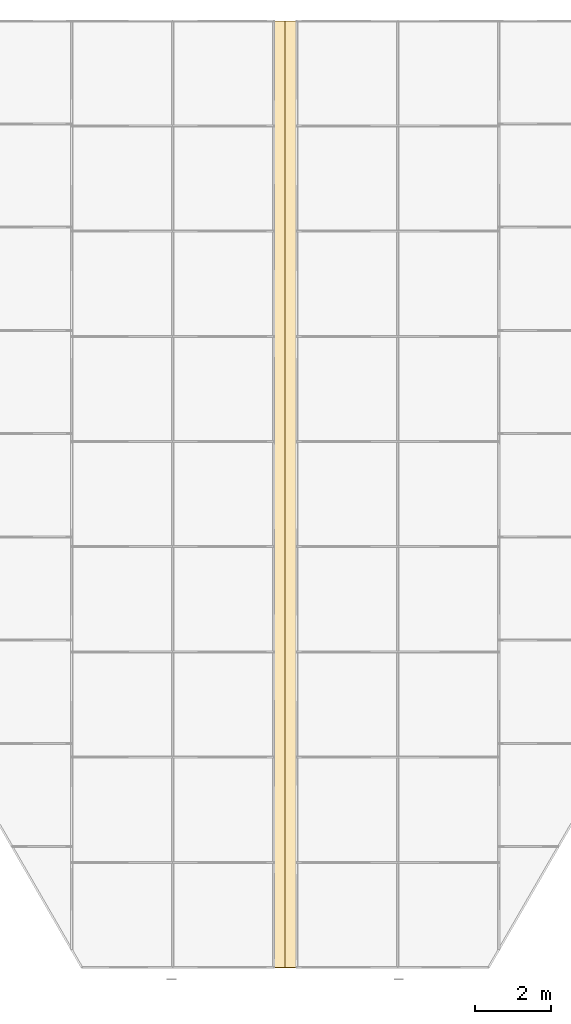
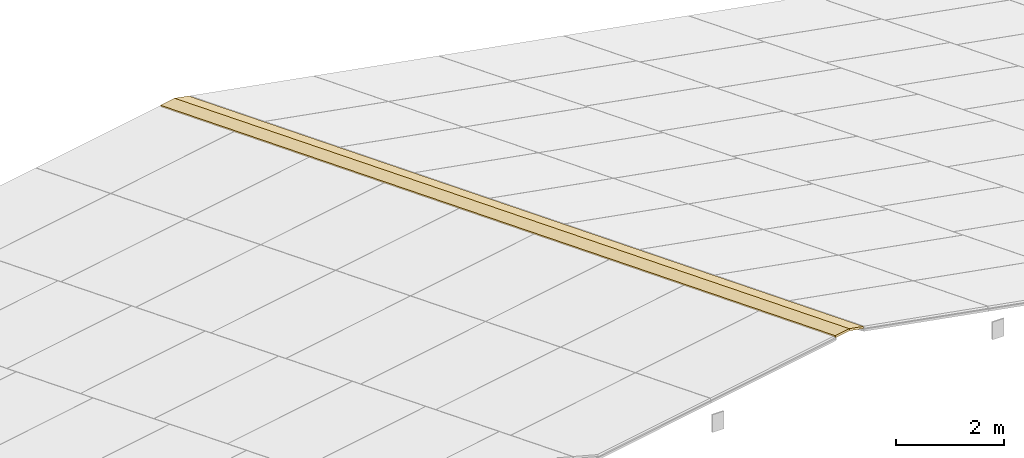
# One storey, part 12 of 12: 2 coverings.
"""IFC4 building model written with IfcOpenShell, lengths in metres."""

from ifc_helpers import new_model, si_unit, direction, frame, origin, place, context, subcontext, project, spatial, polyline, outline, extrude, material, layer, layer_set, type_object, element, save


model = new_model("IFC4")

# Units and contexts
model_context = context("Model", 3, precision=1e-05, world=origin(), true_north=direction((0.0, 1.0)))
body_context = subcontext(model_context, "Body", "Model", "MODEL_VIEW")
ifc_project = project(units=[si_unit("LENGTHUNIT", "METRE"), si_unit("AREAUNIT", "SQUARE_METRE"), si_unit("VOLUMEUNIT", "CUBIC_METRE"), si_unit("PLANEANGLEUNIT", "RADIAN"), si_unit("MASSUNIT", "GRAM", prefix="KILO")], contexts=[model_context])

# Site, building, storey
site_placement = place(None, origin())
site = spatial("IfcSite", under=ifc_project, at=site_placement, CompositionType="ELEMENT")
building_placement = place(site_placement, origin())
building = spatial("IfcBuilding", under=site, at=building_placement, Name="Aloe Facet Convention Tower", CompositionType="ELEMENT")
storey_placement = place(building_placement, frame((0.0, 0.0, 306.5)))
storey = spatial("IfcBuildingStorey", under=building, at=storey_placement, Name="C6", CompositionType="ELEMENT", Elevation=306.5)

# Coverings
ifc_material = material(Name="Zinc standing seam sheet")
ifc_layer = layer(ifc_material, 0.0400390625)
ifc_layer_set = layer_set([ifc_layer], Name="EV-RIDGE-CAP")
covering_type = type_object("IfcCoveringType", Name="EV-RIDGE-CAP", PredefinedType="ROOFING", material=ifc_layer_set)
covering_1_placement = place(storey_placement, frame((79.699951171875, 109.48046875, 1.141357421875), z_axis=(-0.164793678954, 0.364685849986, 0.916431816447), x_axis=(0.0, 0.929134892271, -0.369740925466)))
element("IfcCovering", 1, at=covering_1_placement, inside=storey, type_object=covering_type, Name="Ridge cover W1", PredefinedType="ROOFING", context=body_context, shape_type="SweptSolid", body=[
    extrude(outline(polyline([(0.0, 0.0), (26.927770615568047, 0.0), (26.907821215048543, -0.3042079406155813), (-0.019949400519505212, -0.3042079406155813), (0.0, 0.0)])), origin(), (0.0, 0.0, -1.0), 0.0400390625),
])
covering_2_placement = place(storey_placement, frame((80.0, 109.48046875, 1.1953125), z_axis=(0.164793678954, 0.364685849986, 0.916431816447), x_axis=(0.0, 0.929134892271, -0.369740925466)))
element("IfcCovering", 2, at=covering_2_placement, inside=storey, type_object=covering_type, Name="Ridge cover E1", PredefinedType="ROOFING", context=body_context, shape_type="SweptSolid", body=[
    extrude(outline(polyline([(0.0, 0.0), (26.927770615568047, 0.0), (26.94772001608755, -0.3042079406155813), (0.019949400519505212, -0.3042079406155813), (0.0, 0.0)])), origin(), (0.0, 0.0, -1.0), 0.0400390625),
])

save(model, "model.ifc")
